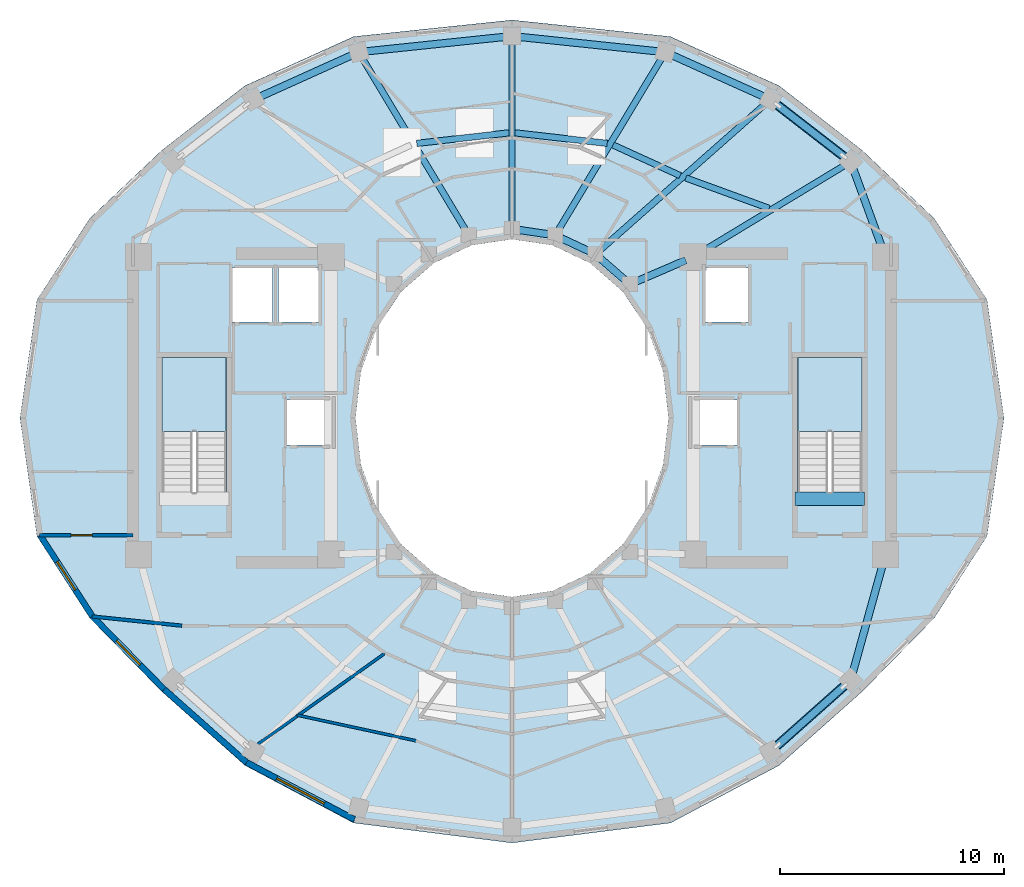
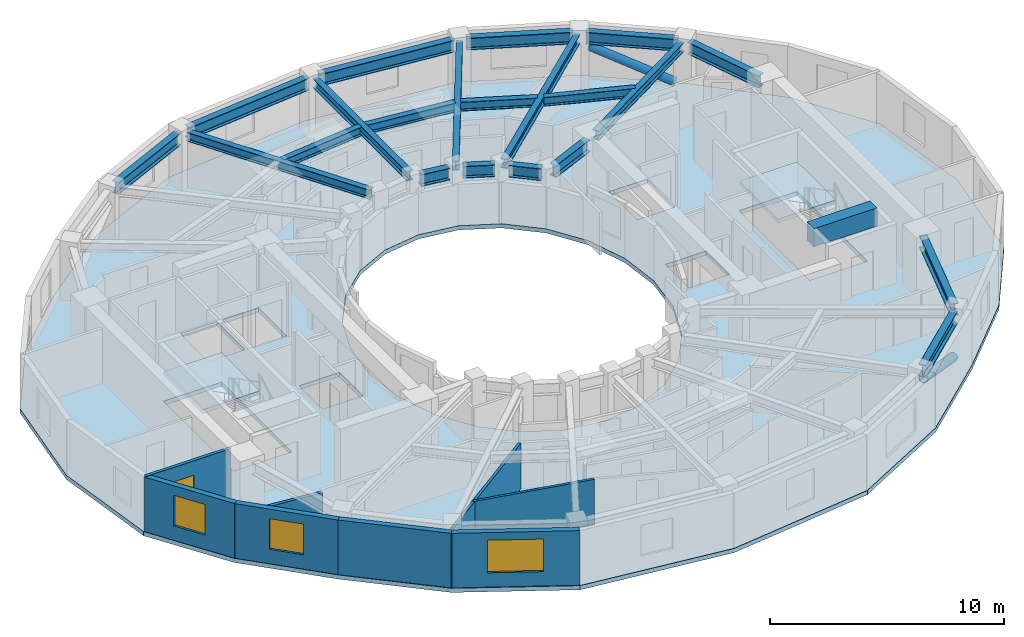
# One storey, part 2 of 9: 22 beams, 8 walls, 3 slabs, 3 windows, 2 members, 1 door, 4 openings, 2 elements without a shape of their own.
"""IFC4 building model written with IfcOpenShell, lengths in metres."""

from ifc_helpers import new_model, si_unit, direction, frame, frame_2d, origin, origin_2d, place, context, subcontext, project, spatial, polyline, rectangle, hollow_circle, i_section, outline, extrude, material, layer, layer_set, material_profile, profile_set, type_object, element, fill, aggregate, save


model = new_model("IFC4")

# Units and contexts
model_context = context("Model", 3, precision=1e-05, world=origin(), true_north=direction((0.0, 1.0)))
body_context = subcontext(model_context, "Body", "Model", "MODEL_VIEW")
ifc_project = project(units=[si_unit("LENGTHUNIT", "METRE"), si_unit("AREAUNIT", "SQUARE_METRE"), si_unit("VOLUMEUNIT", "CUBIC_METRE"), si_unit("PLANEANGLEUNIT", "RADIAN"), si_unit("MASSUNIT", "GRAM", prefix="KILO")], contexts=[model_context])

# Site, building, storey
site_placement = place(None, origin())
site = spatial("IfcSite", under=ifc_project, at=site_placement, CompositionType="ELEMENT")
building_placement = place(site_placement, origin())
building = spatial("IfcBuilding", under=site, at=building_placement, Name="Solvane Sanctuary Tower", CompositionType="ELEMENT")
storey_placement = place(building_placement, frame((0.0, 0.0, 223.300048828125)))
storey = spatial("IfcBuildingStorey", under=building, at=storey_placement, Name="L68", CompositionType="ELEMENT", Elevation=223.300048828125)

# Beams
ifc_material_1 = material(Name="Concrete C70/85", Category="concrete")
ifc_material_profile_1 = material_profile(ifc_material_1, rectangle(XDim=0.60009765625, YDim=0.949951171875, at=origin_2d()), Name="RC600X950")
ifc_profile_set_1 = profile_set([ifc_material_profile_1], Name="Concrete C70/85")
beam_type_1 = type_object("IfcBeamType", Name="Beam B-COUPLE RC600X950", PredefinedType="LINTEL", material=ifc_profile_set_1)
beam_1_placement = place(storey_placement, frame((44.64990234375, 19.399169921875, 2.625), z_axis=(1.0, 0.0, 0.0), x_axis=(0.0, 1.0, 0.0)))
element("IfcBeam", 1, at=beam_1_placement, inside=storey, type_object=beam_type_1, Name="L68 ST-2 Stair Floor Landing Trimmer", PredefinedType="LINTEL", context=body_context, shape_type="SweptSolid", body=[
    extrude(rectangle(XDim=0.60009765625, YDim=0.949951171875, at=origin_2d()), origin(), (0.0, 0.0, 1.0), 3.1201171875),
])
ifc_material_2 = material(Name="Steel ASTM A992 Grade 50", Category="steel")
ifc_material_profile_2 = material_profile(ifc_material_2, i_section(OverallWidth=0.282958984375, OverallDepth=0.471923828125, WebThickness=0.013671875, FlangeThickness=0.022216796875, FilletRadius=0.013916015625, at=origin_2d()), Name="W18X97")
ifc_profile_set_2 = profile_set([ifc_material_profile_2], Name="Steel ASTM A992 Grade 50")
beam_type_2 = type_object("IfcBeamType", Name="Beam B-RAD-Z4 W18X97", PredefinedType="JOIST", material=ifc_profile_set_2)
beam_2_placement = place(storey_placement, frame((40.407958984375, 30.38623046875, 2.641845703125), z_axis=(0.855612120123, 0.517617522789, 0.0), x_axis=(-0.517617522789, 0.855612120123, 0.0)))
element("IfcBeam", 2, at=beam_2_placement, inside=storey, type_object=beam_type_2, Name="L68 Radial Composite Floor Beam 01", PredefinedType="JOIST", context=body_context, shape_type="SweptSolid", body=[
    extrude(i_section(OverallWidth=0.282958984375, OverallDepth=0.471923828125, WebThickness=0.013671875, FlangeThickness=0.022216796875, FilletRadius=0.013916015625, at=origin_2d()), origin(), (0.0, 0.0, 1.0), 7.59375),
])
beam_3_placement = place(storey_placement, frame((35.939697265625, 30.511962890625, 2.641845703125), z_axis=(0.749352461353, 0.662171343886, 0.0), x_axis=(-0.662171343886, 0.749352461353, 0.0)))
element("IfcBeam", 3, at=beam_3_placement, inside=storey, type_object=beam_type_2, Name="L68 Radial Composite Floor Beam 02", PredefinedType="JOIST", context=body_context, shape_type="SweptSolid", body=[
    extrude(i_section(OverallWidth=0.282958984375, OverallDepth=0.471923828125, WebThickness=0.013671875, FlangeThickness=0.022216796875, FilletRadius=0.013916015625, at=origin_2d()), origin(), (0.0, 0.0, 1.0), 9.882568359375),
])
beam_4_placement = place(storey_placement, frame((34.0751953125, 31.41162109375, 2.641845703125), z_axis=(0.515337473432, 0.85698733274, 0.0), x_axis=(-0.85698733274, 0.515337473432, 0.0)))
element("IfcBeam", 4, at=beam_4_placement, inside=storey, type_object=beam_type_2, Name="L68 Radial Composite Floor Beam 03", PredefinedType="JOIST", context=body_context, shape_type="SweptSolid", body=[
    extrude(i_section(OverallWidth=0.282958984375, OverallDepth=0.471923828125, WebThickness=0.013671875, FlangeThickness=0.022216796875, FilletRadius=0.013916015625, at=origin_2d()), origin(), (0.0, 0.0, 1.0), 8.99755859375),
])
beam_5_placement = place(storey_placement, frame((32.0, 31.739990234375, 2.641845703125), z_axis=(0.0, 1.0, 0.0), x_axis=(-1.0, 0.0, 0.0)))
element("IfcBeam", 5, at=beam_5_placement, inside=storey, type_object=beam_type_2, Name="L68 Radial Composite Floor Beam 04", PredefinedType="JOIST", context=body_context, shape_type="SweptSolid", body=[
    extrude(i_section(OverallWidth=0.282958984375, OverallDepth=0.471923828125, WebThickness=0.013671875, FlangeThickness=0.022216796875, FilletRadius=0.013916015625, at=origin_2d()), origin(), (0.0, 0.0, 1.0), 8.06005859375),
])
beam_6_placement = place(storey_placement, frame((29.9248046875, 31.41162109375, 2.641845703125), z_axis=(-0.515337473432, 0.85698733274, 0.0), x_axis=(-0.85698733274, -0.515337473432, 0.0)))
element("IfcBeam", 6, at=beam_6_placement, inside=storey, type_object=beam_type_2, Name="L68 Radial Composite Floor Beam 05", PredefinedType="JOIST", context=body_context, shape_type="SweptSolid", body=[
    extrude(i_section(OverallWidth=0.282958984375, OverallDepth=0.471923828125, WebThickness=0.013671875, FlangeThickness=0.022216796875, FilletRadius=0.013916015625, at=origin_2d()), origin(), (0.0, 0.0, 1.0), 8.99755859375),
])
ifc_material_profile_3 = material_profile(ifc_material_2, i_section(OverallWidth=0.324951171875, OverallDepth=0.615966796875, WebThickness=0.013916015625, FlangeThickness=0.021484375, FilletRadius=0.01611328125, at=origin_2d()), Name="W24X117")
ifc_profile_set_3 = profile_set([ifc_material_profile_3], Name="Steel ASTM A992 Grade 50")
beam_type_3 = type_object("IfcBeamType", Name="Beam B-RING-IN2 W24X117", PredefinedType="BEAM", material=ifc_profile_set_3)
beam_7_placement = place(storey_placement, frame((32.31640625, 31.41259765625, 2.570068359375), z_axis=(0.989056121481, -0.147539786368, 0.0), x_axis=(0.147539786368, 0.989056121481, 0.0)))
element("IfcBeam", 7, at=beam_7_placement, inside=storey, type_object=beam_type_3, Name="L68 Inner Light-Well Ring Beam IC04-IC03", PredefinedType="BEAM", context=body_context, shape_type="SweptSolid", body=[
    extrude(i_section(OverallWidth=0.324951171875, OverallDepth=0.615966796875, WebThickness=0.013916015625, FlangeThickness=0.021484375, FilletRadius=0.01611328125, at=origin_2d()), origin(), (0.0, 0.0, 1.0), 1.312255859375),
])
beam_8_placement = place(storey_placement, frame((34.220458984375, 31.03564453125, 2.570068359375), z_axis=(0.905134542189, -0.425125229241, 0.0), x_axis=(0.425125229241, 0.905134542189, 0.0)))
element("IfcBeam", 8, at=beam_8_placement, inside=storey, type_object=beam_type_3, Name="L68 Inner Light-Well Ring Beam IC03-IC02", PredefinedType="BEAM", context=body_context, shape_type="SweptSolid", body=[
    extrude(i_section(OverallWidth=0.324951171875, OverallDepth=0.615966796875, WebThickness=0.013916015625, FlangeThickness=0.021484375, FilletRadius=0.01611328125, at=origin_2d()), origin(), (0.0, 0.0, 1.0), 1.347900390625),
])
beam_9_placement = place(storey_placement, frame((35.971435546875, 30.116455078125, 2.570068359375), z_axis=(0.754388985763, -0.656427648839, 0.0), x_axis=(0.656427648839, 0.754388985763, 0.0)))
element("IfcBeam", 9, at=beam_9_placement, inside=storey, type_object=beam_type_3, Name="L68 Inner Light-Well Ring Beam IC02-IC01", PredefinedType="BEAM", context=body_context, shape_type="SweptSolid", body=[
    extrude(i_section(OverallWidth=0.324951171875, OverallDepth=0.615966796875, WebThickness=0.013916015625, FlangeThickness=0.021484375, FilletRadius=0.01611328125, at=origin_2d()), origin(), (0.0, 0.0, 1.0), 1.408203125),
])
beam_10_placement = place(storey_placement, frame((37.56884765625, 29.10888671875, 2.570068359375), z_axis=(0.918283854026, 0.395922673554, 0.0), x_axis=(-0.395922673554, 0.918283854026, 0.0)))
element("IfcBeam", 10, at=beam_10_placement, inside=storey, type_object=beam_type_3, Name="L68 Inner Light-Well Ring Beam IC01-CE4", PredefinedType="BEAM", context=body_context, shape_type="SweptSolid", body=[
    extrude(i_section(OverallWidth=0.324951171875, OverallDepth=0.615966796875, WebThickness=0.013916015625, FlangeThickness=0.021484375, FilletRadius=0.01611328125, at=origin_2d()), origin(), (0.0, 0.0, 1.0), 2.396240234375),
])
ifc_material_profile_4 = material_profile(ifc_material_2, i_section(OverallWidth=0.280029296875, OverallDepth=0.462890625, WebThickness=0.0107421875, FlangeThickness=0.017333984375, FilletRadius=0.013916015625, at=origin_2d()), Name="W18X76")
ifc_profile_set_4 = profile_set([ifc_material_profile_4], Name="Steel ASTM A992 Grade 50")
beam_type_4 = type_object("IfcBeamType", Name="Beam B-SEC-JOIST W18X76", PredefinedType="JOIST", material=ifc_profile_set_4)
for number, where, z_axis, x_axis, name in (
    (11, (27.7421875, 35.282470703125, 2.646484375), (0.993510844231, 0.113737427415, 0.0), (-0.113737427415, 0.993510844231, 0.0), "L68 Secondary Circumferential Joist 05-04"),
    (12, (32.135498046875, 35.75439453125, 2.646484375), (0.993510844231, -0.113737427415, 0.0), (0.113737427415, 0.993510844231, 0.0), "L68 Secondary Circumferential Joist 04-03"),
):
    element("IfcBeam", number, at=place(storey_placement, frame(where, z_axis=z_axis, x_axis=x_axis)), inside=storey, type_object=beam_type_4, Name=name, PredefinedType="JOIST", context=body_context, shape_type="SweptSolid", body=[
        extrude(i_section(OverallWidth=0.280029296875, OverallDepth=0.462890625, WebThickness=0.0107421875, FlangeThickness=0.017333984375, FilletRadius=0.013916015625, at=origin_2d()), origin(), (0.0, 0.0, 1.0), 4.149169921875),
    ])
beam_11_placement = place(storey_placement, frame((36.517578125, 35.210205078125, 2.646484375), z_axis=(0.909746959611, -0.415163184156, 0.0), x_axis=(0.415163184156, 0.909746959611, 0.0)))
element("IfcBeam", 13, at=beam_11_placement, inside=storey, type_object=beam_type_4, Name="L68 Secondary Circumferential Joist 03-02", PredefinedType="JOIST", context=body_context, shape_type="SweptSolid", body=[
    extrude(i_section(OverallWidth=0.280029296875, OverallDepth=0.462890625, WebThickness=0.0107421875, FlangeThickness=0.017333984375, FilletRadius=0.013916015625, at=origin_2d()), origin(), (0.0, 0.0, 1.0), 3.29833984375),
])
beam_12_placement = place(storey_placement, frame((39.770751953125, 33.7373046875, 2.646484375), z_axis=(0.939341257695, -0.342983966962, 0.0), x_axis=(0.342983966962, 0.939341257695, 0.0)))
element("IfcBeam", 14, at=beam_12_placement, inside=storey, type_object=beam_type_4, Name="L68 Secondary Circumferential Joist 02-01", PredefinedType="JOIST", context=body_context, shape_type="SweptSolid", body=[
    extrude(i_section(OverallWidth=0.280029296875, OverallDepth=0.462890625, WebThickness=0.0107421875, FlangeThickness=0.017333984375, FilletRadius=0.013916015625, at=origin_2d()), origin(), (0.0, 0.0, 1.0), 3.964111328125),
])
ifc_material_profile_5 = material_profile(ifc_material_2, i_section(OverallWidth=0.327880859375, OverallDepth=0.6279296875, WebThickness=0.0166015625, FlangeThickness=0.027587890625, FilletRadius=0.01611328125, at=origin_2d()), Name="W24X146")
ifc_profile_set_5 = profile_set([ifc_material_profile_5], Name="Steel ASTM A992 Grade 50")
beam_type_5 = type_object("IfcBeamType", Name="Beam B-SPAND-Z3 W24X146", PredefinedType="SPANDREL", material=ifc_profile_set_5)
beam_13_placement = place(storey_placement, frame((20.7001953125, 37.356689453125, 2.56396484375), z_axis=(0.911467646952, 0.411371764418, 0.0), x_axis=(-0.411371764418, 0.911467646952, 0.0)))
element("IfcBeam", 15, at=beam_13_placement, inside=storey, type_object=beam_type_5, Name="L68 Perimeter Spandrel Beam TC06-TC05", PredefinedType="SPANDREL", context=body_context, shape_type="SweptSolid", body=[
    extrude(i_section(OverallWidth=0.327880859375, OverallDepth=0.6279296875, WebThickness=0.0166015625, FlangeThickness=0.027587890625, FilletRadius=0.01611328125, at=origin_2d()), origin(), (0.0, 0.0, 1.0), 4.59521484375),
])
for number, where, z_axis, x_axis, name in (
    (16, (25.42236328125, 39.391357421875, 2.56396484375), (0.994565065885, 0.10411690411, 0.0), (-0.10411690411, 0.994565065885, 0.0), "L68 Perimeter Spandrel Beam TC05-TC04"),
    (17, (32.278564453125, 40.05078125, 2.56396484375), (0.994565065885, -0.10411690411, 0.0), (0.10411690411, 0.994565065885, 0.0), "L68 Perimeter Spandrel Beam TC04-TC03"),
):
    element("IfcBeam", number, at=place(storey_placement, frame(where, z_axis=z_axis, x_axis=x_axis)), inside=storey, type_object=beam_type_5, Name=name, PredefinedType="SPANDREL", context=body_context, shape_type="SweptSolid", body=[
        extrude(i_section(OverallWidth=0.327880859375, OverallDepth=0.6279296875, WebThickness=0.0166015625, FlangeThickness=0.027587890625, FilletRadius=0.01611328125, at=origin_2d()), origin(), (0.0, 0.0, 1.0), 6.33349609375),
    ])
beam_14_placement = place(storey_placement, frame((39.111328125, 39.2470703125, 2.56396484375), z_axis=(0.911467646952, -0.411371764418, 0.0), x_axis=(0.411371764418, 0.911467646952, 0.0)))
element("IfcBeam", 18, at=beam_14_placement, inside=storey, type_object=beam_type_5, Name="L68 Perimeter Spandrel Beam TC03-TC02", PredefinedType="SPANDREL", context=body_context, shape_type="SweptSolid", body=[
    extrude(i_section(OverallWidth=0.327880859375, OverallDepth=0.6279296875, WebThickness=0.0166015625, FlangeThickness=0.027587890625, FilletRadius=0.01611328125, at=origin_2d()), origin(), (0.0, 0.0, 1.0), 4.59521484375),
])
beam_15_placement = place(storey_placement, frame((43.776611328125, 37.070068359375, 2.56396484375), z_axis=(0.79064516309, -0.612274632891, 0.0), x_axis=(0.612274632891, 0.79064516309, 0.0)))
element("IfcBeam", 19, at=beam_15_placement, inside=storey, type_object=beam_type_5, Name="L68 Perimeter Spandrel Beam TC02-TC01", PredefinedType="SPANDREL", context=body_context, shape_type="SweptSolid", body=[
    extrude(i_section(OverallWidth=0.327880859375, OverallDepth=0.6279296875, WebThickness=0.0166015625, FlangeThickness=0.027587890625, FilletRadius=0.01611328125, at=origin_2d()), origin(), (0.0, 0.0, 1.0), 3.980224609375),
])
beam_16_placement = place(storey_placement, frame((47.240966796875, 34.19873046875, 2.56396484375), z_axis=(0.34275337431, -0.939425422478, 0.0), x_axis=(0.939425422478, 0.34275337431, 0.0)))
element("IfcBeam", 20, at=beam_16_placement, inside=storey, type_object=beam_type_5, Name="L68 Perimeter Spandrel Beam TC01-CE3", PredefinedType="SPANDREL", context=body_context, shape_type="SweptSolid", body=[
    extrude(i_section(OverallWidth=0.327880859375, OverallDepth=0.6279296875, WebThickness=0.0166015625, FlangeThickness=0.027587890625, FilletRadius=0.01611328125, at=origin_2d()), origin(), (0.0, 0.0, 1.0), 3.976806640625),
])
beam_17_placement = place(storey_placement, frame((43.764404296875, 8.272216796875, 2.56396484375), z_axis=(0.747199825189, 0.664599444205, 0.0), x_axis=(-0.664599444205, 0.747199825189, 0.0)))
element("IfcBeam", 21, at=beam_17_placement, inside=storey, type_object=beam_type_5, Name="L68 Perimeter Spandrel Beam TC13-TC14", PredefinedType="SPANDREL", context=body_context, shape_type="SweptSolid", body=[
    extrude(i_section(OverallWidth=0.327880859375, OverallDepth=0.6279296875, WebThickness=0.0166015625, FlangeThickness=0.027587890625, FilletRadius=0.01611328125, at=origin_2d()), origin(), (0.0, 0.0, 1.0), 4.244384765625),
])
beam_18_placement = place(storey_placement, frame((47.219482421875, 11.549072265625, 2.56396484375), z_axis=(0.266650123869, 0.963793396658, 0.0), x_axis=(-0.963793396658, 0.266650123869, 0.0)))
element("IfcBeam", 22, at=beam_18_placement, inside=storey, type_object=beam_type_5, Name="L68 Perimeter Spandrel Beam TC14-CE2", PredefinedType="SPANDREL", context=body_context, shape_type="SweptSolid", body=[
    extrude(i_section(OverallWidth=0.327880859375, OverallDepth=0.6279296875, WebThickness=0.0166015625, FlangeThickness=0.027587890625, FilletRadius=0.01611328125, at=origin_2d()), origin(), (0.0, 0.0, 1.0), 5.27197265625),
])

# Members
ifc_material_profile_6 = material_profile(ifc_material_2, hollow_circle(Radius=0.202880859375, WallThickness=0.012451171875, at=origin_2d()), Name="CHS406X12.5")
ifc_profile_set_6 = profile_set([ifc_material_profile_6], Name="Steel ASTM A992 Grade 50")
member_type = type_object("IfcMemberType", Name="Member M-TUBE-Z3 CHS406X12.5", PredefinedType="BRACE", material=ifc_profile_set_6)
member_1_placement = place(storey_placement, frame((46.81884765625, 34.714111328125, 0.5498046875), z_axis=(-0.731090089768, 0.566107162853, 0.380827993731), x_axis=(-0.612242116954, -0.790670342322, 0.0)))
element("IfcMember", 23, at=member_1_placement, inside=storey, type_object=member_type, Name="L68 Perimeter Braced-Tube Diagonal NE", PredefinedType="BRACE", context=body_context, shape_type="SweptSolid", body=[
    extrude(hollow_circle(Radius=0.202880859375, WallThickness=0.012451171875, at=origin_2d()), origin(), (0.0, 0.0, 1.0), 4.017578125),
])
member_2_placement = place(storey_placement, frame((46.83837890625, 11.006591796875, 0.53955078125), z_axis=(-0.69629863571, -0.619345335379, 0.362738977025), x_axis=(0.664611503375, -0.747189098945, 0.0)))
element("IfcMember", 24, at=member_2_placement, inside=storey, type_object=member_type, Name="L68 Perimeter Braced-Tube Diagonal SE", PredefinedType="BRACE", context=body_context, shape_type="SweptSolid", body=[
    extrude(hollow_circle(Radius=0.202880859375, WallThickness=0.012451171875, at=origin_2d()), origin(), (0.0, 0.0, 1.0), 4.26708984375),
])

# Stair, slab
ifc_material_3 = material(Name="Concrete C45/55", Category="concrete")
stair_type = type_object("IfcStairType", Name="Stair ST-TOW", PredefinedType="HALF_TURN_STAIR", material=ifc_material_3)
stair_1_placement = place(storey_placement, origin())
stair_1 = element("IfcStair", 25, at=stair_1_placement, inside=storey, type_object=stair_type, Name="L68 Exit Stair ST-1 West Core", PredefinedType="HALF_TURN_STAIR")
ifc_layer_1 = layer(ifc_material_3, 0.199951171875, Name="Concrete C45/55")
ifc_layer_set_1 = layer_set([ifc_layer_1], Name="Concrete C45/55")
slab_type_1 = type_object("IfcSlabType", Name="Slab SL-LAND-180", PredefinedType="LANDING", material=ifc_layer_set_1)
slab_1_placement = place(storey_placement, frame((0.0, 0.0, 1.349853515625)))
slab_1 = element("IfcSlab", 26, at=slab_1_placement, type_object=slab_type_1, Name="ST-1 landing 1", PredefinedType="LANDING", context=body_context, shape_type="SweptSolid", body=[
    extrude(outline(polyline([(19.219970703125, 22.39990234375), (19.219970703125, 25.699951171875), (16.360107421875, 25.699951171875), (16.360107421875, 22.39990234375), (19.219970703125, 22.39990234375)])), origin(), (0.0, 0.0, 1.0), 0.2001953125),
])
aggregate(stair_1, [slab_1])

stair_2_placement = place(storey_placement, origin())
stair_2 = element("IfcStair", 27, at=stair_2_placement, inside=storey, type_object=stair_type, Name="L68 Exit Stair ST-2 East Core", PredefinedType="HALF_TURN_STAIR")
slab_2_placement = place(storey_placement, frame((0.0, 0.0, 1.349853515625)))
slab_2 = element("IfcSlab", 28, at=slab_2_placement, type_object=slab_type_1, Name="ST-2 landing 1", PredefinedType="LANDING", context=body_context, shape_type="SweptSolid", body=[
    extrude(outline(polyline([(47.639892578125, 22.39990234375), (47.639892578125, 25.699951171875), (44.780029296875, 25.699951171875), (44.780029296875, 22.39990234375), (47.639892578125, 22.39990234375)])), origin(), (0.0, 0.0, 1.0), 0.2001953125),
])
aggregate(stair_2, [slab_2])

# Slab
ifc_layer_2 = layer(ifc_material_3, 0.219970703125, Name="Concrete C45/55")
ifc_layer_set_2 = layer_set([ifc_layer_2], Name="Concrete C45/55")
slab_type_2 = type_object("IfcSlabType", Name="Slab SL-TOW-220", PredefinedType="FLOOR", material=ifc_layer_set_2)
slab_3_placement = place(storey_placement, frame((0.0, 0.0, -0.219970703125)))
element("IfcSlab", 29, at=slab_3_placement, inside=storey, type_object=slab_type_2, Name="L68 Primary Structural Slab", PredefinedType="FLOOR", context=body_context, shape_type="SweptSolid", body=[
    extrude(outline(polyline([(54.0, 23.0), (53.239990234375, 28.283935546875), (50.881103515625, 31.925537109375), (47.6572265625, 34.97412109375), (43.946044921875, 37.859375), (39.088134765625, 40.057373046875), (32.0, 40.800048828125), (24.911865234375, 40.057373046875), (20.053955078125, 37.859375), (16.3427734375, 34.97412109375), (13.118896484375, 31.925537109375), (10.760009765625, 28.283935546875), (10.0, 23.0), (10.760009765625, 17.716064453125), (13.118896484375, 14.056884765625), (16.3427734375, 10.7666015625), (20.053955078125, 7.46826171875), (24.911865234375, 4.8935546875), (32.0, 4.0), (39.088134765625, 4.8935546875), (43.946044921875, 7.46826171875), (47.6572265625, 10.7666015625), (50.881103515625, 14.056884765625), (53.239990234375, 17.716064453125), (54.0, 23.0)]), holes=[polyline([(38.761474609375, 20.929443359375), (38.062255859375, 19.0), (36.94970703125, 17.343017578125), (35.5, 16.07177734375), (33.811767578125, 15.272705078125), (32.0, 15.0), (30.188232421875, 15.272705078125), (28.5, 16.07177734375), (27.05029296875, 17.343017578125), (25.937744140625, 19.0), (25.238525390625, 20.929443359375), (25.0, 23.0), (25.238525390625, 25.070556640625), (25.937744140625, 27.0), (27.05029296875, 28.656982421875), (28.5, 29.92822265625), (30.188232421875, 30.727294921875), (32.0, 31.0), (33.811767578125, 30.727294921875), (35.5, 29.92822265625), (36.94970703125, 28.656982421875), (38.062255859375, 27.0), (38.761474609375, 25.070556640625), (39.0, 23.0), (38.761474609375, 20.929443359375)]), polyline([(16.360107421875, 19.699951171875), (16.360107421875, 25.699951171875), (19.219970703125, 25.699951171875), (19.219970703125, 19.699951171875), (16.360107421875, 19.699951171875)]), polyline([(44.780029296875, 19.699951171875), (44.780029296875, 25.699951171875), (47.639892578125, 25.699951171875), (47.639892578125, 19.699951171875), (44.780029296875, 19.699951171875)]), polyline([(21.949951171875, 23.800048828125), (23.949951171875, 23.800048828125), (23.949951171875, 21.800048828125), (21.949951171875, 21.800048828125), (21.949951171875, 23.800048828125)]), polyline([(40.050048828125, 23.800048828125), (42.050048828125, 23.800048828125), (42.050048828125, 21.800048828125), (40.050048828125, 21.800048828125), (40.050048828125, 23.800048828125)]), polyline([(19.5, 29.699951171875), (21.300048828125, 29.699951171875), (21.300048828125, 27.300048828125), (19.5, 27.300048828125), (19.5, 29.699951171875)]), polyline([(21.550048828125, 29.699951171875), (23.35009765625, 29.699951171875), (23.35009765625, 27.300048828125), (21.550048828125, 27.300048828125), (21.550048828125, 29.699951171875)]), polyline([(40.64990234375, 29.699951171875), (42.550048828125, 29.699951171875), (42.550048828125, 27.300048828125), (40.64990234375, 27.300048828125), (40.64990234375, 29.699951171875)])]), origin(), (0.0, 0.0, 1.0), 0.219970703125),
])

# Wall, opening, door
ifc_material_4 = material(Name="Acoustic Gypsum Partition Board")
ifc_layer_3 = layer(ifc_material_4, 0.14990234375, Name="Acoustic Gypsum Partition Board")
ifc_layer_set_3 = layer_set([ifc_layer_3], Name="Acoustic Gypsum Partition Board")
wall_type_1 = type_object("IfcWallType", Name="Wall W-CORR-150", PredefinedType="PARTITIONING", material=ifc_layer_set_3)
wall_1_placement = place(storey_placement, frame((10.87548828125, 17.754638671875, 0.0), z_axis=(0.0, 0.0, 1.0), x_axis=(1.0, 0.0, 0.0)))
wall_1 = element("IfcWall", 30, at=wall_1_placement, inside=storey, type_object=wall_type_1, Name="L68 West Shoulder South Wall", PredefinedType="PARTITIONING", context=body_context, shape_type="SweptSolid", body=[
    extrude(rectangle(XDim=4.174560546875, YDim=0.14990234375, at=frame_2d((2.08740234375, 0.0))), origin(), (0.0, 0.0, 1.0), 2.85498046875),
])
opening_1_placement = place(wall_1_placement, frame((1.407470703125, 0.0, 0.0)))
opening_1 = element("IfcOpeningElement", 31, at=opening_1_placement, cuts=wall_1, Name="Opening D-L68-15", PredefinedType="OPENING", context=body_context, shape_type="SweptSolid", body=[
    extrude(rectangle(XDim=0.949951171875, YDim=2.10009765625, at=frame_2d((0.47509765625, 1.050048828125))), frame((0.0, 0.0849609375, 0.0), z_axis=(0.0, -1.0, 0.0), x_axis=(1.0, 0.0, 0.0)), (0.0, 0.0, 1.0), 0.169921875),
])
ifc_material_5 = material(Name="Engineered Tropical Hardwood", Category="wood")
door_type = type_object("IfcDoorType", Name="Door D-ROOM-950", OperationType="NOTDEFINED", PredefinedType="DOOR", material=ifc_material_5)
door_placement = place(opening_1_placement, origin())
door = element("IfcDoor", 32, at=door_placement, inside=storey, type_object=door_type, Name="L68 West Shoulder South Door", OperationType="SINGLE_SWING_RIGHT", OverallHeight=2.10009765625, OverallWidth=0.949951171875, PredefinedType="DOOR", context=body_context, shape_type="SweptSolid", body=[
    extrude(rectangle(XDim=0.949951171875, YDim=2.10009765625, at=frame_2d((0.47509765625, 1.050048828125))), frame((0.0, 0.02490234375, 0.0), z_axis=(0.0, -1.0, 0.0), x_axis=(1.0, 0.0, 0.0)), (0.0, 0.0, 1.0), 0.050048828125),
])
fill(opening_1, door)

# Wall
wall_2_placement = place(storey_placement, frame((17.249755859375, 13.71484375, 0.0), z_axis=(0.0, 0.0, 1.0), x_axis=(-0.994734711466, 0.102483431859, 0.0)))
element("IfcWall", 33, at=wall_2_placement, inside=storey, type_object=wall_type_1, Name="L68 SW Corner Wing Wall", PredefinedType="PARTITIONING", context=body_context, shape_type="SweptSolid", body=[
    extrude(rectangle(XDim=4.04736328125, YDim=0.14990234375, at=frame_2d((2.023681640625, 0.0))), origin(), (0.0, 0.0, 1.0), 2.219970703125),
])

# Wall, opening, window
ifc_material_6 = material(Name="Precast concrete C40/50", Category="concrete")
ifc_layer_4 = layer(ifc_material_6, 0.260009765625, Name="Precast concrete C40/50")
ifc_layer_set_4 = layer_set([ifc_layer_4], Name="Precast concrete C40/50")
wall_type_2 = type_object("IfcWallType", Name="Wall W-EXT-250", PredefinedType="STANDARD", material=ifc_layer_set_4)
wall_3_placement = place(storey_placement, frame((10.895263671875, 17.76123046875, 0.0), z_axis=(0.0, 0.0, 1.0), x_axis=(0.542641766008, -0.839964233634, 0.0)))
wall_3 = element("IfcWall", 34, at=wall_3_placement, inside=storey, type_object=wall_type_2, Name="L68 Ceramic-Printed Facade Wall 13", PredefinedType="STANDARD", context=body_context, shape_type="SweptSolid", body=[
    extrude(rectangle(XDim=4.319091796875, YDim=0.260009765625, at=frame_2d((2.15966796875, 0.0))), origin(), (0.0, 0.0, 1.0), 2.849853515625),
])
opening_2_placement = place(wall_3_placement, frame((1.40966796875, 0.0, 0.75)))
opening_2 = element("IfcOpeningElement", 35, at=opening_2_placement, cuts=wall_3, Name="Opening WN-OPER-1500", PredefinedType="OPENING", context=body_context, shape_type="SweptSolid", body=[
    extrude(rectangle(XDim=1.5, YDim=1.60009765625, at=frame_2d((0.75, 0.800048828125))), frame((0.0, 0.139892578125, 0.0), z_axis=(0.0, -1.0, 0.0), x_axis=(1.0, 0.0, 0.0)), (0.0, 0.0, 1.0), 0.280029296875),
])
ifc_material_7 = material(Name="Dark Ceramic-Fritted Low-E Glass", Category="glass")
window_type_1 = type_object("IfcWindowType", Name="Window WN-OPER-1500", PartitioningType="SINGLE_PANEL", PredefinedType="WINDOW", material=ifc_material_7)
window_1_placement = place(opening_2_placement, origin())
window_1 = element("IfcWindow", 36, at=window_1_placement, inside=storey, type_object=window_type_1, Name="L68 Operable Facade Window 13", OverallHeight=1.60009765625, OverallWidth=1.5, PartitioningType="SINGLE_PANEL", PredefinedType="WINDOW", context=body_context, shape_type="SweptSolid", body=[
    extrude(rectangle(XDim=1.5, YDim=1.60009765625, at=frame_2d((0.75, 0.800048828125))), frame((0.0, 0.030029296875, 0.0), z_axis=(0.0, -1.0, 0.0), x_axis=(1.0, 0.0, 0.0)), (0.0, 0.0, 1.0), 0.06005859375),
])
fill(opening_2, window_1)

wall_4_placement = place(storey_placement, frame((13.239013671875, 14.13330078125, 0.0), z_axis=(0.0, 0.0, 1.0), x_axis=(0.700642973333, -0.713512034881, 0.0)))
wall_4 = element("IfcWall", 37, at=wall_4_placement, inside=storey, type_object=wall_type_2, Name="L68 Ceramic-Printed Facade Wall 14", PredefinedType="STANDARD", context=body_context, shape_type="SweptSolid", body=[
    extrude(rectangle(XDim=4.572021484375, YDim=0.260009765625, at=frame_2d((2.2861328125, 0.0))), origin(), (0.0, 0.0, 1.0), 2.849853515625),
])
opening_3_placement = place(wall_4_placement, frame((1.535888671875, 0.0, 0.75)))
opening_3 = element("IfcOpeningElement", 38, at=opening_3_placement, cuts=wall_4, Name="Opening WN-OPER-1500", PredefinedType="OPENING", context=body_context, shape_type="SweptSolid", body=[
    extrude(rectangle(XDim=1.5, YDim=1.60009765625, at=frame_2d((0.75, 0.800048828125))), frame((0.0, 0.139892578125, 0.0), z_axis=(0.0, -1.0, 0.0), x_axis=(1.0, 0.0, 0.0)), (0.0, 0.0, 1.0), 0.280029296875),
])
window_2_placement = place(opening_3_placement, origin())
window_2 = element("IfcWindow", 39, at=window_2_placement, inside=storey, type_object=window_type_1, Name="L68 Operable Facade Window 14", OverallHeight=1.60009765625, OverallWidth=1.5, PartitioningType="SINGLE_PANEL", PredefinedType="WINDOW", context=body_context, shape_type="SweptSolid", body=[
    extrude(rectangle(XDim=1.5, YDim=1.60009765625, at=frame_2d((0.75, 0.800048828125))), frame((0.0, 0.030029296875, 0.0), z_axis=(0.0, -1.0, 0.0), x_axis=(1.0, 0.0, 0.0)), (0.0, 0.0, 1.0), 0.06005859375),
])
fill(opening_3, window_2)

# Wall
wall_5_placement = place(storey_placement, frame((16.4423828125, 10.87109375, 0.0), z_axis=(0.0, 0.0, 1.0), x_axis=(0.748165854006, -0.663511759428, 0.0)))
element("IfcWall", 40, at=wall_5_placement, inside=storey, type_object=wall_type_2, Name="L68 Ceramic-Printed Facade Wall 15", PredefinedType="STANDARD", context=body_context, shape_type="SweptSolid", body=[
    extrude(rectangle(XDim=4.9287109375, YDim=0.260009765625, at=frame_2d((2.46435546875, 0.0))), origin(), (0.0, 0.0, 1.0), 2.849853515625),
])

# Wall, opening, window
wall_6_placement = place(storey_placement, frame((20.1298828125, 7.600830078125, 0.0), z_axis=(0.0, 0.0, 1.0), x_axis=(0.884000981341, -0.46748504253, 0.0)))
wall_6 = element("IfcWall", 41, at=wall_6_placement, inside=storey, type_object=wall_type_2, Name="L68 Ceramic-Printed Facade Wall 16", PredefinedType="STANDARD", context=body_context, shape_type="SweptSolid", body=[
    extrude(rectangle(XDim=5.46044921875, YDim=0.260009765625, at=frame_2d((2.730224609375, 0.0))), origin(), (0.0, 0.0, 1.0), 2.849853515625),
])
opening_4_placement = place(wall_6_placement, frame((1.5302734375, 0.0, 0.75)))
opening_4 = element("IfcOpeningElement", 42, at=opening_4_placement, cuts=wall_6, Name="Opening WN-RIB-2400", PredefinedType="OPENING", context=body_context, shape_type="SweptSolid", body=[
    extrude(rectangle(XDim=2.39990234375, YDim=1.699951171875, at=frame_2d((1.199951171875, 0.85009765625))), frame((0.0, 0.139892578125, 0.0), z_axis=(0.0, -1.0, 0.0), x_axis=(1.0, 0.0, 0.0)), (0.0, 0.0, 1.0), 0.280029296875),
])
window_type_2 = type_object("IfcWindowType", Name="Window WN-RIB-2400", PartitioningType="SINGLE_PANEL", PredefinedType="WINDOW", material=ifc_material_7)
window_3_placement = place(opening_4_placement, origin())
window_3 = element("IfcWindow", 43, at=window_3_placement, inside=storey, type_object=window_type_2, Name="L68 Operable Facade Window 16", OverallHeight=1.699951171875, OverallWidth=2.39990234375, PartitioningType="SINGLE_PANEL", PredefinedType="WINDOW", context=body_context, shape_type="SweptSolid", body=[
    extrude(rectangle(XDim=2.39990234375, YDim=1.699951171875, at=frame_2d((1.199951171875, 0.85009765625))), frame((0.0, 0.030029296875, 0.0), z_axis=(0.0, -1.0, 0.0), x_axis=(1.0, 0.0, 0.0)), (0.0, 0.0, 1.0), 0.06005859375),
])
fill(opening_4, window_3)

# Walls
ifc_layer_5 = layer(ifc_material_4, 0.1201171875, Name="Acoustic Gypsum Partition Board")
ifc_layer_set_5 = layer_set([ifc_layer_5], Name="Acoustic Gypsum Partition Board")
wall_type_3 = type_object("IfcWallType", Name="Wall W-MOV-100", PredefinedType="MOVABLE", material=ifc_layer_set_5)
wall_7_placement = place(storey_placement, frame((22.389892578125, 9.716796875, 0.0), z_axis=(0.0, 0.0, 1.0), x_axis=(0.977534972695, -0.210773283785, 0.0)))
element("IfcWall", 44, at=wall_7_placement, inside=storey, type_object=wall_type_3, Name="L68 Suite Sitting Lounge Partition S1", PredefinedType="MOVABLE", context=body_context, shape_type="SweptSolid", body=[
    extrude(rectangle(XDim=5.453369140625, YDim=0.1201171875, at=frame_2d((2.7265625, 0.0))), origin(), (0.0, 0.0, 1.0), 2.3759765625),
])
ifc_layer_6 = layer(ifc_material_4, 0.125, Name="Acoustic Gypsum Partition Board")
ifc_layer_set_6 = layer_set([ifc_layer_6], Name="Acoustic Gypsum Partition Board")
wall_type_4 = type_object("IfcWallType", Name="Wall W-PART-125", PredefinedType="PARTITIONING", material=ifc_layer_set_6)
wall_8_placement = place(storey_placement, frame((26.290283203125, 12.463134765625, 0.0), z_axis=(0.0, 0.0, 1.0), x_axis=(-0.813163816543, -0.582034885093, 0.0)))
element("IfcWall", 45, at=wall_8_placement, inside=storey, type_object=wall_type_4, Name="L68 Radial Compartment Wall 240", PredefinedType="PARTITIONING", context=body_context, shape_type="SweptSolid", body=[
    extrude(rectangle(XDim=6.95458984375, YDim=0.125, at=frame_2d((3.477294921875, 0.0))), origin(), (0.0, 0.0, 1.0), 2.3759765625),
])

save(model, "model.ifc")
